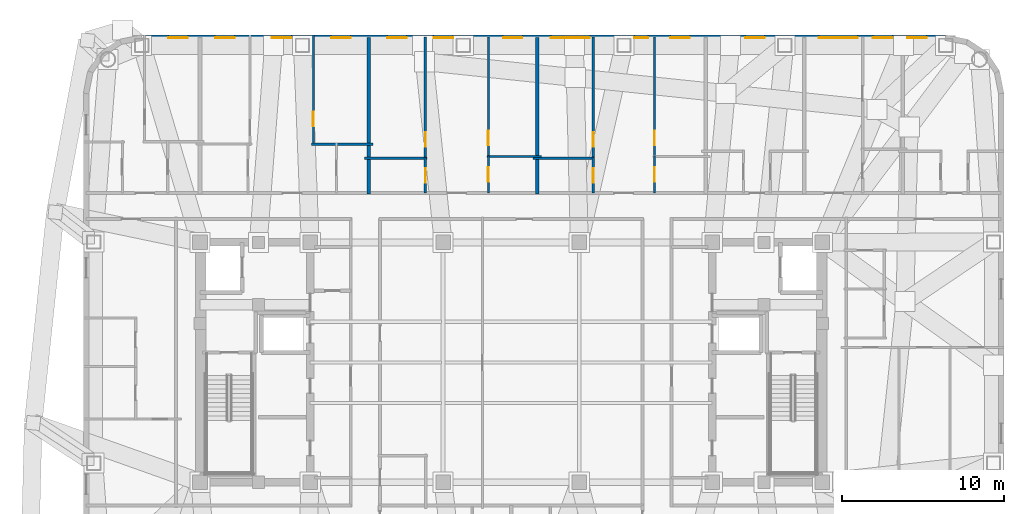
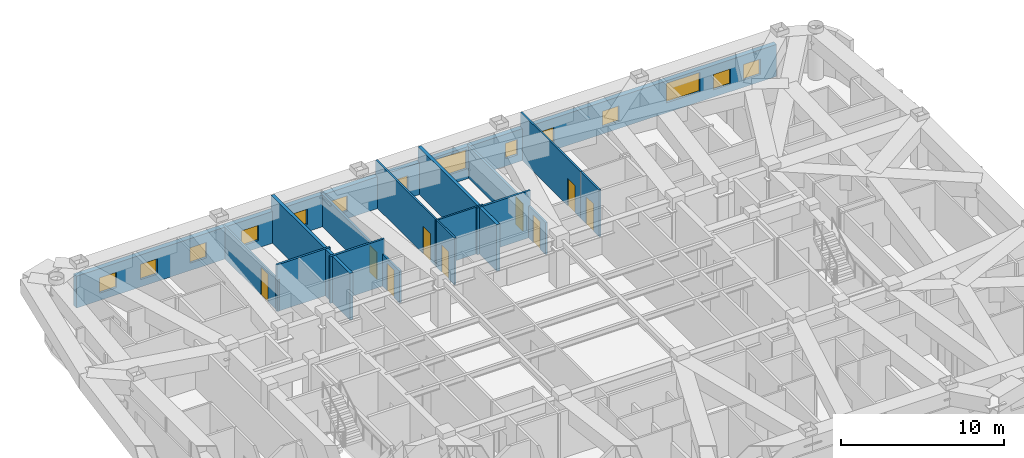
# One storey, part 9 of 12: 16 walls, 14 windows, 9 doors, 23 openings.
"""IFC4 building model written with IfcOpenShell, lengths in metres."""

from ifc_helpers import new_model, si_unit, direction, frame, frame_2d, origin, place, context, subcontext, project, spatial, rectangle, extrude, material, layer, layer_set, type_object, element, fill, save


model = new_model("IFC4")

# Units and contexts
model_context = context("Model", 3, precision=1e-05, world=origin(), true_north=direction((0.0, 1.0)))
body_context = subcontext(model_context, "Body", "Model", "MODEL_VIEW")
ifc_project = project(units=[si_unit("LENGTHUNIT", "METRE"), si_unit("AREAUNIT", "SQUARE_METRE"), si_unit("VOLUMEUNIT", "CUBIC_METRE"), si_unit("PLANEANGLEUNIT", "RADIAN"), si_unit("MASSUNIT", "GRAM", prefix="KILO")], contexts=[model_context])

# Site, building, storey
site_placement = place(None, origin())
site = spatial("IfcSite", under=ifc_project, at=site_placement, CompositionType="ELEMENT")
building_placement = place(site_placement, origin())
building = spatial("IfcBuilding", under=site, at=building_placement, Name="Voryun Gate Residences", CompositionType="ELEMENT")
storey_placement = place(building_placement, frame((0.0, 0.0, 250.89990234375)))
storey = spatial("IfcBuildingStorey", under=building, at=storey_placement, Name="L62", CompositionType="ELEMENT", Elevation=250.89990234375)

# Wall, openings, windows
ifc_material_1 = material(Name="Charcoal terracotta masonry", Category="masonry")
ifc_layer_1 = layer(ifc_material_1, 0.340087890625, Name="W_EXT_TERRACOTTA_340")
ifc_layer_set_1 = layer_set([ifc_layer_1], Name="Charcoal terracotta masonry")
wall_type_1 = type_object("IfcWallType", Name="W_EXT_TERRACOTTA_340", PredefinedType="ELEMENTEDWALL", material=ifc_layer_set_1)
wall_1_placement = place(storey_placement, frame((-22.783203125, 20.030029296875, 0.0), z_axis=(0.0, 0.0, 1.0), x_axis=(1.0, 0.0, 0.0)))
wall_1 = element("IfcWall", 1, at=wall_1_placement, inside=storey, type_object=wall_type_1, Name="Exterior wall WEXT-L62-11", PredefinedType="ELEMENTEDWALL", context=body_context, shape_type="SweptSolid", body=[
    extrude(rectangle(XDim=49.56640625, YDim=0.340087890625, at=frame_2d((24.783203125, 0.0))), origin(), (0.0, 0.0, 1.0), 2.39013671875),
])
opening_1_placement = place(wall_1_placement, frame((25.2333984375, 0.0, 0.75)))
opening_1 = element("IfcOpeningElement", 2, at=opening_1_placement, cuts=wall_1, Name="Opening WN2", PredefinedType="OPENING", context=body_context, shape_type="SweptSolid", body=[
    extrude(rectangle(XDim=2.39990234375, YDim=1.449951171875, at=frame_2d((1.199951171875, 0.72509765625))), frame((0.0, 0.179931640625, 0.0), z_axis=(0.0, -1.0, 0.0), x_axis=(1.0, 0.0, 0.0)), (0.0, 0.0, 1.0), 0.360107421875),
])
opening_2_placement = place(wall_1_placement, frame((41.755615234375, 0.0, 0.75)))
opening_2 = element("IfcOpeningElement", 3, at=opening_2_placement, cuts=wall_1, Name="Opening WN2", PredefinedType="OPENING", context=body_context, shape_type="SweptSolid", body=[
    extrude(rectangle(XDim=2.39990234375, YDim=1.449951171875, at=frame_2d((1.199951171875, 0.72509765625))), frame((0.0, 0.179931640625, 0.0), z_axis=(0.0, -1.0, 0.0), x_axis=(1.0, 0.0, 0.0)), (0.0, 0.0, 1.0), 0.360107421875),
])
opening_3_placement = place(wall_1_placement, frame((1.63671875, 0.0, 0.550048828125)))
opening_3 = element("IfcOpeningElement", 4, at=opening_3_placement, cuts=wall_1, Name="Opening WN6", PredefinedType="OPENING", context=body_context, shape_type="SweptSolid", body=[
    extrude(rectangle(XDim=1.199951171875, YDim=1.14990234375, at=frame_2d((0.60009765625, 0.574951171875))), frame((0.0, 0.179931640625, 0.0), z_axis=(0.0, -1.0, 0.0), x_axis=(1.0, 0.0, 0.0)), (0.0, 0.0, 1.0), 0.360107421875),
])
opening_4_placement = place(wall_1_placement, frame((8.019287109375, 0.0, 0.550048828125)))
opening_4 = element("IfcOpeningElement", 5, at=opening_4_placement, cuts=wall_1, Name="Opening WN6", PredefinedType="OPENING", context=body_context, shape_type="SweptSolid", body=[
    extrude(rectangle(XDim=1.199951171875, YDim=1.14990234375, at=frame_2d((0.60009765625, 0.574951171875))), frame((0.0, 0.179931640625, 0.0), z_axis=(0.0, -1.0, 0.0), x_axis=(1.0, 0.0, 0.0)), (0.0, 0.0, 1.0), 0.360107421875),
])
opening_5_placement = place(wall_1_placement, frame((4.5244140625, 0.0, 0.550048828125)))
opening_5 = element("IfcOpeningElement", 6, at=opening_5_placement, cuts=wall_1, Name="Opening WN6", PredefinedType="OPENING", context=body_context, shape_type="SweptSolid", body=[
    extrude(rectangle(XDim=1.199951171875, YDim=1.14990234375, at=frame_2d((0.60009765625, 0.574951171875))), frame((0.0, 0.179931640625, 0.0), z_axis=(0.0, -1.0, 0.0), x_axis=(1.0, 0.0, 0.0)), (0.0, 0.0, 1.0), 0.360107421875),
])
opening_6_placement = place(wall_1_placement, frame((11.67822265625, 0.0, 0.550048828125)))
opening_6 = element("IfcOpeningElement", 7, at=opening_6_placement, cuts=wall_1, Name="Opening WN6", PredefinedType="OPENING", context=body_context, shape_type="SweptSolid", body=[
    extrude(rectangle(XDim=1.199951171875, YDim=1.14990234375, at=frame_2d((0.60009765625, 0.574951171875))), frame((0.0, 0.179931640625, 0.0), z_axis=(0.0, -1.0, 0.0), x_axis=(1.0, 0.0, 0.0)), (0.0, 0.0, 1.0), 0.360107421875),
])
opening_7_placement = place(wall_1_placement, frame((17.993408203125, 0.0, 0.550048828125)))
opening_7 = element("IfcOpeningElement", 8, at=opening_7_placement, cuts=wall_1, Name="Opening WN6", PredefinedType="OPENING", context=body_context, shape_type="SweptSolid", body=[
    extrude(rectangle(XDim=1.199951171875, YDim=1.14990234375, at=frame_2d((0.60009765625, 0.574951171875))), frame((0.0, 0.179931640625, 0.0), z_axis=(0.0, -1.0, 0.0), x_axis=(1.0, 0.0, 0.0)), (0.0, 0.0, 1.0), 0.360107421875),
])
opening_8_placement = place(wall_1_placement, frame((15.13818359375, 0.0, 0.550048828125)))
opening_8 = element("IfcOpeningElement", 9, at=opening_8_placement, cuts=wall_1, Name="Opening WN6", PredefinedType="OPENING", context=body_context, shape_type="SweptSolid", body=[
    extrude(rectangle(XDim=1.199951171875, YDim=1.14990234375, at=frame_2d((0.60009765625, 0.574951171875))), frame((0.0, 0.179931640625, 0.0), z_axis=(0.0, -1.0, 0.0), x_axis=(1.0, 0.0, 0.0)), (0.0, 0.0, 1.0), 0.360107421875),
])
opening_9_placement = place(wall_1_placement, frame((22.2783203125, 0.0, 0.550048828125)))
opening_9 = element("IfcOpeningElement", 10, at=opening_9_placement, cuts=wall_1, Name="Opening WN6", PredefinedType="OPENING", context=body_context, shape_type="SweptSolid", body=[
    extrude(rectangle(XDim=1.199951171875, YDim=1.14990234375, at=frame_2d((0.60009765625, 0.574951171875))), frame((0.0, 0.179931640625, 0.0), z_axis=(0.0, -1.0, 0.0), x_axis=(1.0, 0.0, 0.0)), (0.0, 0.0, 1.0), 0.360107421875),
])
opening_10_placement = place(wall_1_placement, frame((30.38427734375, 0.0, 0.550048828125)))
opening_10 = element("IfcOpeningElement", 11, at=opening_10_placement, cuts=wall_1, Name="Opening WN9", PredefinedType="OPENING", context=body_context, shape_type="SweptSolid", body=[
    extrude(rectangle(XDim=0.85009765625, YDim=1.14990234375, at=frame_2d((0.425048828125, 0.574951171875))), frame((0.0, 0.179931640625, 0.0), z_axis=(0.0, -1.0, 0.0), x_axis=(1.0, 0.0, 0.0)), (0.0, 0.0, 1.0), 0.360107421875),
])
opening_11_placement = place(wall_1_placement, frame((32.603271484375, 0.0, 0.550048828125)))
opening_11 = element("IfcOpeningElement", 12, at=opening_11_placement, cuts=wall_1, Name="Opening WN6", PredefinedType="OPENING", context=body_context, shape_type="SweptSolid", body=[
    extrude(rectangle(XDim=1.199951171875, YDim=1.14990234375, at=frame_2d((0.60009765625, 0.574951171875))), frame((0.0, 0.179931640625, 0.0), z_axis=(0.0, -1.0, 0.0), x_axis=(1.0, 0.0, 0.0)), (0.0, 0.0, 1.0), 0.360107421875),
])
opening_12_placement = place(wall_1_placement, frame((37.222900390625, 0.0, 0.550048828125)))
opening_12 = element("IfcOpeningElement", 13, at=opening_12_placement, cuts=wall_1, Name="Opening WN6", PredefinedType="OPENING", context=body_context, shape_type="SweptSolid", body=[
    extrude(rectangle(XDim=1.199951171875, YDim=1.14990234375, at=frame_2d((0.60009765625, 0.574951171875))), frame((0.0, 0.179931640625, 0.0), z_axis=(0.0, -1.0, 0.0), x_axis=(1.0, 0.0, 0.0)), (0.0, 0.0, 1.0), 0.360107421875),
])
opening_13_placement = place(wall_1_placement, frame((45.098876953125, 0.0, 0.550048828125)))
opening_13 = element("IfcOpeningElement", 14, at=opening_13_placement, cuts=wall_1, Name="Opening WN6", PredefinedType="OPENING", context=body_context, shape_type="SweptSolid", body=[
    extrude(rectangle(XDim=1.199951171875, YDim=1.14990234375, at=frame_2d((0.60009765625, 0.574951171875))), frame((0.0, 0.179931640625, 0.0), z_axis=(0.0, -1.0, 0.0), x_axis=(1.0, 0.0, 0.0)), (0.0, 0.0, 1.0), 0.360107421875),
])
opening_14_placement = place(wall_1_placement, frame((47.208984375, 0.0, 0.550048828125)))
opening_14 = element("IfcOpeningElement", 15, at=opening_14_placement, cuts=wall_1, Name="Opening WN6", PredefinedType="OPENING", context=body_context, shape_type="SweptSolid", body=[
    extrude(rectangle(XDim=1.199951171875, YDim=1.14990234375, at=frame_2d((0.60009765625, 0.574951171875))), frame((0.0, 0.179931640625, 0.0), z_axis=(0.0, -1.0, 0.0), x_axis=(1.0, 0.0, 0.0)), (0.0, 0.0, 1.0), 0.360107421875),
])
ifc_material_2 = material(Name="Laminated low-E glass", Category="glass")
window_type_1 = type_object("IfcWindowType", Name="WN_POD_SLOT_1200", PartitioningType="SINGLE_PANEL", PredefinedType="WINDOW", material=ifc_material_2)
window_1_placement = place(opening_3_placement, origin())
window_1 = element("IfcWindow", 16, at=window_1_placement, inside=storey, type_object=window_type_1, Name="Window WN-L62-DWFIX-02", OverallHeight=1.14990234375, OverallWidth=1.199951171875, PartitioningType="SINGLE_PANEL", PredefinedType="WINDOW", context=body_context, shape_type="SweptSolid", body=[
    extrude(rectangle(XDim=1.199951171875, YDim=1.14990234375, at=frame_2d((0.60009765625, 0.574951171875))), frame((0.0, 0.030029296875, 0.0), z_axis=(0.0, -1.0, 0.0), x_axis=(1.0, 0.0, 0.0)), (0.0, 0.0, 1.0), 0.06005859375),
])
fill(opening_3, window_1)
window_2_placement = place(opening_4_placement, origin())
window_2 = element("IfcWindow", 17, at=window_2_placement, inside=storey, type_object=window_type_1, Name="Window WN-L62-DWFIX-03", OverallHeight=1.14990234375, OverallWidth=1.199951171875, PartitioningType="SINGLE_PANEL", PredefinedType="WINDOW", context=body_context, shape_type="SweptSolid", body=[
    extrude(rectangle(XDim=1.199951171875, YDim=1.14990234375, at=frame_2d((0.60009765625, 0.574951171875))), frame((0.0, 0.030029296875, 0.0), z_axis=(0.0, -1.0, 0.0), x_axis=(1.0, 0.0, 0.0)), (0.0, 0.0, 1.0), 0.06005859375),
])
fill(opening_4, window_2)
window_3_placement = place(opening_5_placement, origin())
window_3 = element("IfcWindow", 18, at=window_3_placement, inside=storey, type_object=window_type_1, Name="Window WN-L62-DWFIX-04", OverallHeight=1.14990234375, OverallWidth=1.199951171875, PartitioningType="SINGLE_PANEL", PredefinedType="WINDOW", context=body_context, shape_type="SweptSolid", body=[
    extrude(rectangle(XDim=1.199951171875, YDim=1.14990234375, at=frame_2d((0.60009765625, 0.574951171875))), frame((0.0, 0.030029296875, 0.0), z_axis=(0.0, -1.0, 0.0), x_axis=(1.0, 0.0, 0.0)), (0.0, 0.0, 1.0), 0.06005859375),
])
fill(opening_5, window_3)
window_4_placement = place(opening_6_placement, origin())
window_4 = element("IfcWindow", 19, at=window_4_placement, inside=storey, type_object=window_type_1, Name="Window WN-L62-DWFIX-05", OverallHeight=1.14990234375, OverallWidth=1.199951171875, PartitioningType="SINGLE_PANEL", PredefinedType="WINDOW", context=body_context, shape_type="SweptSolid", body=[
    extrude(rectangle(XDim=1.199951171875, YDim=1.14990234375, at=frame_2d((0.60009765625, 0.574951171875))), frame((0.0, 0.030029296875, 0.0), z_axis=(0.0, -1.0, 0.0), x_axis=(1.0, 0.0, 0.0)), (0.0, 0.0, 1.0), 0.06005859375),
])
fill(opening_6, window_4)
window_5_placement = place(opening_7_placement, origin())
window_5 = element("IfcWindow", 20, at=window_5_placement, inside=storey, type_object=window_type_1, Name="Window WN-L62-DWFIX-06", OverallHeight=1.14990234375, OverallWidth=1.199951171875, PartitioningType="SINGLE_PANEL", PredefinedType="WINDOW", context=body_context, shape_type="SweptSolid", body=[
    extrude(rectangle(XDim=1.199951171875, YDim=1.14990234375, at=frame_2d((0.60009765625, 0.574951171875))), frame((0.0, 0.030029296875, 0.0), z_axis=(0.0, -1.0, 0.0), x_axis=(1.0, 0.0, 0.0)), (0.0, 0.0, 1.0), 0.06005859375),
])
fill(opening_7, window_5)
window_6_placement = place(opening_8_placement, origin())
window_6 = element("IfcWindow", 21, at=window_6_placement, inside=storey, type_object=window_type_1, Name="Window WN-L62-DWFIX-07", OverallHeight=1.14990234375, OverallWidth=1.199951171875, PartitioningType="SINGLE_PANEL", PredefinedType="WINDOW", context=body_context, shape_type="SweptSolid", body=[
    extrude(rectangle(XDim=1.199951171875, YDim=1.14990234375, at=frame_2d((0.60009765625, 0.574951171875))), frame((0.0, 0.030029296875, 0.0), z_axis=(0.0, -1.0, 0.0), x_axis=(1.0, 0.0, 0.0)), (0.0, 0.0, 1.0), 0.06005859375),
])
fill(opening_8, window_6)
window_7_placement = place(opening_9_placement, origin())
window_7 = element("IfcWindow", 22, at=window_7_placement, inside=storey, type_object=window_type_1, Name="Window WN-L62-DWFIX-08", OverallHeight=1.14990234375, OverallWidth=1.199951171875, PartitioningType="SINGLE_PANEL", PredefinedType="WINDOW", context=body_context, shape_type="SweptSolid", body=[
    extrude(rectangle(XDim=1.199951171875, YDim=1.14990234375, at=frame_2d((0.60009765625, 0.574951171875))), frame((0.0, 0.030029296875, 0.0), z_axis=(0.0, -1.0, 0.0), x_axis=(1.0, 0.0, 0.0)), (0.0, 0.0, 1.0), 0.06005859375),
])
fill(opening_9, window_7)
window_8_placement = place(opening_11_placement, origin())
window_8 = element("IfcWindow", 23, at=window_8_placement, inside=storey, type_object=window_type_1, Name="Window WN-L62-DWFIX-10", OverallHeight=1.14990234375, OverallWidth=1.199951171875, PartitioningType="SINGLE_PANEL", PredefinedType="WINDOW", context=body_context, shape_type="SweptSolid", body=[
    extrude(rectangle(XDim=1.199951171875, YDim=1.14990234375, at=frame_2d((0.60009765625, 0.574951171875))), frame((0.0, 0.030029296875, 0.0), z_axis=(0.0, -1.0, 0.0), x_axis=(1.0, 0.0, 0.0)), (0.0, 0.0, 1.0), 0.06005859375),
])
fill(opening_11, window_8)
window_9_placement = place(opening_12_placement, origin())
window_9 = element("IfcWindow", 24, at=window_9_placement, inside=storey, type_object=window_type_1, Name="Window WN-L62-DWFIX-11", OverallHeight=1.14990234375, OverallWidth=1.199951171875, PartitioningType="SINGLE_PANEL", PredefinedType="WINDOW", context=body_context, shape_type="SweptSolid", body=[
    extrude(rectangle(XDim=1.199951171875, YDim=1.14990234375, at=frame_2d((0.60009765625, 0.574951171875))), frame((0.0, 0.030029296875, 0.0), z_axis=(0.0, -1.0, 0.0), x_axis=(1.0, 0.0, 0.0)), (0.0, 0.0, 1.0), 0.06005859375),
])
fill(opening_12, window_9)
window_10_placement = place(opening_13_placement, origin())
window_10 = element("IfcWindow", 25, at=window_10_placement, inside=storey, type_object=window_type_1, Name="Window WN-L62-DWFIX-12", OverallHeight=1.14990234375, OverallWidth=1.199951171875, PartitioningType="SINGLE_PANEL", PredefinedType="WINDOW", context=body_context, shape_type="SweptSolid", body=[
    extrude(rectangle(XDim=1.199951171875, YDim=1.14990234375, at=frame_2d((0.60009765625, 0.574951171875))), frame((0.0, 0.030029296875, 0.0), z_axis=(0.0, -1.0, 0.0), x_axis=(1.0, 0.0, 0.0)), (0.0, 0.0, 1.0), 0.06005859375),
])
fill(opening_13, window_10)
window_11_placement = place(opening_14_placement, origin())
window_11 = element("IfcWindow", 26, at=window_11_placement, inside=storey, type_object=window_type_1, Name="Window WN-L62-DWFIX-13", OverallHeight=1.14990234375, OverallWidth=1.199951171875, PartitioningType="SINGLE_PANEL", PredefinedType="WINDOW", context=body_context, shape_type="SweptSolid", body=[
    extrude(rectangle(XDim=1.199951171875, YDim=1.14990234375, at=frame_2d((0.60009765625, 0.574951171875))), frame((0.0, 0.030029296875, 0.0), z_axis=(0.0, -1.0, 0.0), x_axis=(1.0, 0.0, 0.0)), (0.0, 0.0, 1.0), 0.06005859375),
])
fill(opening_14, window_11)
ifc_material_3 = material(Name="Laminated low-E glass", Category="glass")
window_type_2 = type_object("IfcWindowType", Name="WN_RES_CASEMENT_850", PartitioningType="SINGLE_PANEL", PredefinedType="WINDOW", material=ifc_material_3)
window_12_placement = place(opening_10_placement, origin())
window_12 = element("IfcWindow", 27, at=window_12_placement, inside=storey, type_object=window_type_2, Name="Window WN-L62-DWFIX-09", OverallHeight=1.14990234375, OverallWidth=0.85009765625, PartitioningType="SINGLE_PANEL", PredefinedType="WINDOW", context=body_context, shape_type="SweptSolid", body=[
    extrude(rectangle(XDim=0.85009765625, YDim=1.14990234375, at=frame_2d((0.425048828125, 0.574951171875))), frame((0.0, 0.030029296875, 0.0), z_axis=(0.0, -1.0, 0.0), x_axis=(1.0, 0.0, 0.0)), (0.0, 0.0, 1.0), 0.06005859375),
])
fill(opening_10, window_12)
ifc_material_4 = material(Name="Laminated low-E glass", Category="glass")
window_type_3 = type_object("IfcWindowType", Name="WN_RES_WIDE_2400", PartitioningType="SINGLE_PANEL", PredefinedType="WINDOW", material=ifc_material_4)
window_13_placement = place(opening_1_placement, origin())
window_13 = element("IfcWindow", 28, at=window_13_placement, inside=storey, type_object=window_type_3, Name="Window WN-WEXT-L62-11-02", OverallHeight=1.449951171875, OverallWidth=2.39990234375, PartitioningType="SINGLE_PANEL", PredefinedType="WINDOW", context=body_context, shape_type="SweptSolid", body=[
    extrude(rectangle(XDim=2.39990234375, YDim=1.449951171875, at=frame_2d((1.199951171875, 0.72509765625))), frame((0.0, 0.030029296875, 0.0), z_axis=(0.0, -1.0, 0.0), x_axis=(1.0, 0.0, 0.0)), (0.0, 0.0, 1.0), 0.06005859375),
])
fill(opening_1, window_13)
window_14_placement = place(opening_2_placement, origin())
window_14 = element("IfcWindow", 29, at=window_14_placement, inside=storey, type_object=window_type_3, Name="Window WN-WEXT-L62-11-03", OverallHeight=1.449951171875, OverallWidth=2.39990234375, PartitioningType="SINGLE_PANEL", PredefinedType="WINDOW", context=body_context, shape_type="SweptSolid", body=[
    extrude(rectangle(XDim=2.39990234375, YDim=1.449951171875, at=frame_2d((1.199951171875, 0.72509765625))), frame((0.0, 0.030029296875, 0.0), z_axis=(0.0, -1.0, 0.0), x_axis=(1.0, 0.0, 0.0)), (0.0, 0.0, 1.0), 0.06005859375),
])
fill(opening_2, window_14)

# Walls
ifc_material_5 = material(Name="Concrete C40/50", Category="concrete")
ifc_layer_2 = layer(ifc_material_5, 0.219970703125, Name="W_PARTY_ACOUSTIC_220")
ifc_layer_set_2 = layer_set([ifc_layer_2], Name="Concrete C40/50")
wall_type_2 = type_object("IfcWallType", Name="W_PARTY_ACOUSTIC_220", PredefinedType="PARTITIONING", material=ifc_layer_set_2)
for number, where, z_axis, x_axis, name in (
    (30, (-8.800048828125, 10.3701171875, 0.0), (0.0, 0.0, 1.0), (0.0, 1.0, 0.0), "Partition wall WP-L62-NPTY-2"),
    (31, (1.60009765625, 10.3701171875, 0.0), (0.0, 0.0, 1.0), (0.0, 1.0, 0.0), "Partition wall WP-L62-NPTY-3"),
):
    element("IfcWall", number, at=place(storey_placement, frame(where, z_axis=z_axis, x_axis=x_axis)), inside=storey, type_object=wall_type_2, Name=name, PredefinedType="PARTITIONING", context=body_context, shape_type="SweptSolid", body=[
        extrude(rectangle(XDim=9.659912109375, YDim=0.219970703125, at=frame_2d((4.830078125, 0.0))), origin(), (0.0, 0.0, 1.0), 3.5),
    ])

# Wall, opening, door
ifc_material_6 = material(Name="Gypsum acoustic partition")
ifc_layer_3 = layer(ifc_material_6, 0.125, Name="W_UNIT_PART_125")
ifc_layer_set_3 = layer_set([ifc_layer_3], Name="Gypsum acoustic partition")
wall_type_3 = type_object("IfcWallType", Name="W_UNIT_PART_125", PredefinedType="PARTITIONING", material=ifc_layer_set_3)
wall_2_placement = place(storey_placement, frame((-12.2099609375, 13.3798828125, 0.0), z_axis=(0.0, 0.0, 1.0), x_axis=(0.0, 1.0, 0.0)))
wall_2 = element("IfcWall", 32, at=wall_2_placement, inside=storey, type_object=wall_type_3, Name="Partition wall WP-L62-N2-OVR", PredefinedType="PARTITIONING", context=body_context, shape_type="SweptSolid", body=[
    extrude(rectangle(XDim=6.800048828125, YDim=0.125, at=frame_2d((3.39990234375, 0.0))), origin(), (0.0, 0.0, 1.0), 2.39013671875),
])
opening_15_placement = place(wall_2_placement, frame((1.181884765625, 0.0, 0.0)))
opening_15 = element("IfcOpeningElement", 33, at=opening_15_placement, cuts=wall_2, Name="Opening D-INT-2", PredefinedType="OPENING", context=body_context, shape_type="SweptSolid", body=[
    extrude(rectangle(XDim=0.89990234375, YDim=2.050048828125, at=frame_2d((0.449951171875, 1.02490234375))), frame((0.0, 0.072509765625, 0.0), z_axis=(0.0, -1.0, 0.0), x_axis=(1.0, 0.0, 0.0)), (0.0, 0.0, 1.0), 0.14501953125),
])
ifc_material_7 = material(Name="Architectural oak veneer")
door_type = type_object("IfcDoorType", Name="DR_INT_BATH_900", OperationType="NOTDEFINED", PredefinedType="DOOR", material=ifc_material_7)
door_1_placement = place(opening_15_placement, origin())
door_1 = element("IfcDoor", 34, at=door_1_placement, inside=storey, type_object=door_type, Name="Door DR-L62-N2-DMB", OperationType="SINGLE_SWING_RIGHT", OverallHeight=2.050048828125, OverallWidth=0.89990234375, PredefinedType="DOOR", context=body_context, shape_type="SweptSolid", body=[
    extrude(rectangle(XDim=0.89990234375, YDim=2.050048828125, at=frame_2d((0.449951171875, 1.02490234375))), frame((0.0, 0.02490234375, 0.0), z_axis=(0.0, -1.0, 0.0), x_axis=(1.0, 0.0, 0.0)), (0.0, 0.0, 1.0), 0.050048828125),
])
fill(opening_15, door_1)

# Wall
wall_3_placement = place(storey_placement, frame((-1.489990234375, 12.68994140625, 0.0), z_axis=(0.0, 0.0, 1.0), x_axis=(1.0, 0.0, 0.0)))
element("IfcWall", 35, at=wall_3_placement, inside=storey, type_object=wall_type_3, Name="Partition wall WP-L62-N3-RHY", PredefinedType="PARTITIONING", context=body_context, shape_type="SweptSolid", body=[
    extrude(rectangle(XDim=3.35009765625, YDim=0.125, at=frame_2d((1.675048828125, 0.0))), origin(), (0.0, 0.0, 1.0), 3.5),
])

# Wall, opening, door
wall_4_placement = place(storey_placement, frame((-1.409912109375, 10.429931640625, 0.0), z_axis=(0.0, 0.0, 1.0), x_axis=(0.0, 1.0, 0.0)))
wall_4 = element("IfcWall", 36, at=wall_4_placement, inside=storey, type_object=wall_type_3, Name="Partition wall WP-L62-N3-RVX1", PredefinedType="PARTITIONING", context=body_context, shape_type="SweptSolid", body=[
    extrude(rectangle(XDim=2.300048828125, YDim=0.125, at=frame_2d((1.14990234375, 0.0))), origin(), (0.0, 0.0, 1.0), 3.5),
])
opening_16_placement = place(wall_4_placement, frame((0.699951171875, 0.0, 0.0)))
opening_16 = element("IfcOpeningElement", 37, at=opening_16_placement, cuts=wall_4, Name="Opening D-INT-2", PredefinedType="OPENING", context=body_context, shape_type="SweptSolid", body=[
    extrude(rectangle(XDim=0.89990234375, YDim=2.050048828125, at=frame_2d((0.449951171875, 1.02490234375))), frame((0.0, 0.072509765625, 0.0), z_axis=(0.0, -1.0, 0.0), x_axis=(1.0, 0.0, 0.0)), (0.0, 0.0, 1.0), 0.14501953125),
])
door_2_placement = place(opening_16_placement, origin())
door_2 = element("IfcDoor", 38, at=door_2_placement, inside=storey, type_object=door_type, Name="Door DR-L62-N3-DK", OperationType="SINGLE_SWING_RIGHT", OverallHeight=2.050048828125, OverallWidth=0.89990234375, PredefinedType="DOOR", context=body_context, shape_type="SweptSolid", body=[
    extrude(rectangle(XDim=0.89990234375, YDim=2.050048828125, at=frame_2d((0.449951171875, 1.02490234375))), frame((0.0, 0.02490234375, 0.0), z_axis=(0.0, -1.0, 0.0), x_axis=(1.0, 0.0, 0.0)), (0.0, 0.0, 1.0), 0.050048828125),
])
fill(opening_16, door_2)

wall_5_placement = place(storey_placement, frame((-1.409912109375, 12.64990234375, 0.0), z_axis=(0.0, 0.0, 1.0), x_axis=(0.0, 1.0, 0.0)))
wall_5 = element("IfcWall", 39, at=wall_5_placement, inside=storey, type_object=wall_type_3, Name="Partition wall WP-L62-N3-RVX2", PredefinedType="PARTITIONING", context=body_context, shape_type="SweptSolid", body=[
    extrude(rectangle(XDim=7.427001953125, YDim=0.125, at=frame_2d((3.71337890625, 0.0))), origin(), (0.0, 0.0, 1.0), 3.5),
])
opening_17_placement = place(wall_5_placement, frame((0.73828125, 0.0, 0.0)))
opening_17 = element("IfcOpeningElement", 40, at=opening_17_placement, cuts=wall_5, Name="Opening D-INT-2", PredefinedType="OPENING", context=body_context, shape_type="SweptSolid", body=[
    extrude(rectangle(XDim=0.89990234375, YDim=2.050048828125, at=frame_2d((0.449951171875, 1.02490234375))), frame((0.0, 0.072509765625, 0.0), z_axis=(0.0, -1.0, 0.0), x_axis=(1.0, 0.0, 0.0)), (0.0, 0.0, 1.0), 0.14501953125),
])
door_3_placement = place(opening_17_placement, origin())
door_3 = element("IfcDoor", 41, at=door_3_placement, inside=storey, type_object=door_type, Name="Door DR-L62-N3-DB2", OperationType="SINGLE_SWING_LEFT", OverallHeight=2.050048828125, OverallWidth=0.89990234375, PredefinedType="DOOR", context=body_context, shape_type="SweptSolid", body=[
    extrude(rectangle(XDim=0.89990234375, YDim=2.050048828125, at=frame_2d((0.449951171875, 1.02490234375))), frame((0.0, 0.02490234375, 0.0), z_axis=(0.0, -1.0, 0.0), x_axis=(1.0, 0.0, 0.0)), (0.0, 0.0, 1.0), 0.050048828125),
])
fill(opening_17, door_3)

wall_6_placement = place(storey_placement, frame((8.840087890625, 10.429931640625, 0.0), z_axis=(0.0, 0.0, 1.0), x_axis=(0.0, 1.0, 0.0)))
wall_6 = element("IfcWall", 42, at=wall_6_placement, inside=storey, type_object=wall_type_3, Name="Partition wall WP-L62-N4-RVX1", PredefinedType="PARTITIONING", context=body_context, shape_type="SweptSolid", body=[
    extrude(rectangle(XDim=2.300048828125, YDim=0.125, at=frame_2d((1.14990234375, 0.0))), origin(), (0.0, 0.0, 1.0), 3.5),
])
opening_18_placement = place(wall_6_placement, frame((0.699951171875, 0.0, 0.0)))
opening_18 = element("IfcOpeningElement", 43, at=opening_18_placement, cuts=wall_6, Name="Opening D-INT-2", PredefinedType="OPENING", context=body_context, shape_type="SweptSolid", body=[
    extrude(rectangle(XDim=0.89990234375, YDim=2.050048828125, at=frame_2d((0.449951171875, 1.02490234375))), frame((0.0, 0.072509765625, 0.0), z_axis=(0.0, -1.0, 0.0), x_axis=(1.0, 0.0, 0.0)), (0.0, 0.0, 1.0), 0.14501953125),
])
door_4_placement = place(opening_18_placement, origin())
door_4 = element("IfcDoor", 44, at=door_4_placement, inside=storey, type_object=door_type, Name="Door DR-L62-N4-DK", OperationType="SINGLE_SWING_RIGHT", OverallHeight=2.050048828125, OverallWidth=0.89990234375, PredefinedType="DOOR", context=body_context, shape_type="SweptSolid", body=[
    extrude(rectangle(XDim=0.89990234375, YDim=2.050048828125, at=frame_2d((0.449951171875, 1.02490234375))), frame((0.0, 0.02490234375, 0.0), z_axis=(0.0, -1.0, 0.0), x_axis=(1.0, 0.0, 0.0)), (0.0, 0.0, 1.0), 0.050048828125),
])
fill(opening_18, door_4)

wall_7_placement = place(storey_placement, frame((8.840087890625, 12.64990234375, 0.0), z_axis=(0.0, 0.0, 1.0), x_axis=(0.0, 1.0, 0.0)))
wall_7 = element("IfcWall", 45, at=wall_7_placement, inside=storey, type_object=wall_type_3, Name="Partition wall WP-L62-N4-RVX2", PredefinedType="PARTITIONING", context=body_context, shape_type="SweptSolid", body=[
    extrude(rectangle(XDim=7.427001953125, YDim=0.125, at=frame_2d((3.71337890625, 0.0))), origin(), (0.0, 0.0, 1.0), 3.5),
])
opening_19_placement = place(wall_7_placement, frame((0.73828125, 0.0, 0.0)))
opening_19 = element("IfcOpeningElement", 46, at=opening_19_placement, cuts=wall_7, Name="Opening D-INT-2", PredefinedType="OPENING", context=body_context, shape_type="SweptSolid", body=[
    extrude(rectangle(XDim=0.89990234375, YDim=2.050048828125, at=frame_2d((0.449951171875, 1.02490234375))), frame((0.0, 0.072509765625, 0.0), z_axis=(0.0, -1.0, 0.0), x_axis=(1.0, 0.0, 0.0)), (0.0, 0.0, 1.0), 0.14501953125),
])
door_5_placement = place(opening_19_placement, origin())
door_5 = element("IfcDoor", 47, at=door_5_placement, inside=storey, type_object=door_type, Name="Door DR-L62-N4-DB2", OperationType="SINGLE_SWING_LEFT", OverallHeight=2.050048828125, OverallWidth=0.89990234375, PredefinedType="DOOR", context=body_context, shape_type="SweptSolid", body=[
    extrude(rectangle(XDim=0.89990234375, YDim=2.050048828125, at=frame_2d((0.449951171875, 1.02490234375))), frame((0.0, 0.02490234375, 0.0), z_axis=(0.0, -1.0, 0.0), x_axis=(1.0, 0.0, 0.0)), (0.0, 0.0, 1.0), 0.050048828125),
])
fill(opening_19, door_5)

# Walls
ifc_material_8 = material(Name="Gypsum moisture-resistant partition")
ifc_layer_4 = layer(ifc_material_8, 0.14990234375, Name="W_WET_PLUMB_150")
ifc_layer_set_4 = layer_set([ifc_layer_4], Name="Gypsum moisture-resistant partition")
wall_type_4 = type_object("IfcWallType", Name="W_WET_PLUMB_150", PredefinedType="PLUMBINGWALL", material=ifc_layer_set_4)
wall_8_placement = place(storey_placement, frame((-12.330078125, 13.4599609375, 0.0), z_axis=(0.0, 0.0, 1.0), x_axis=(1.0, 0.0, 0.0)))
element("IfcWall", 48, at=wall_8_placement, inside=storey, type_object=wall_type_4, Name="Partition wall WP-L62-N2-HZB", PredefinedType="PLUMBINGWALL", context=body_context, shape_type="SweptSolid", body=[
    extrude(rectangle(XDim=3.7900390625, YDim=0.14990234375, at=frame_2d((1.89501953125, 0.0))), origin(), (0.0, 0.0, 1.0), 3.5),
])
wall_9_placement = place(storey_placement, frame((-9.06005859375, 12.590087890625, 0.0), z_axis=(0.0, 0.0, 1.0), x_axis=(1.0, 0.0, 0.0)))
element("IfcWall", 49, at=wall_9_placement, inside=storey, type_object=wall_type_4, Name="Partition wall WP-L62-N3-LHY", PredefinedType="PLUMBINGWALL", context=body_context, shape_type="SweptSolid", body=[
    extrude(rectangle(XDim=3.85009765625, YDim=0.14990234375, at=frame_2d((1.925048828125, 0.0))), origin(), (0.0, 0.0, 1.0), 3.5),
])

# Wall, opening, door
wall_10_placement = place(storey_placement, frame((-5.2900390625, 10.429931640625, 0.0), z_axis=(0.0, 0.0, 1.0), x_axis=(0.0, 1.0, 0.0)))
wall_10 = element("IfcWall", 50, at=wall_10_placement, inside=storey, type_object=wall_type_4, Name="Partition wall WP-L62-N3-LVX1", PredefinedType="PLUMBINGWALL", context=body_context, shape_type="SweptSolid", body=[
    extrude(rectangle(XDim=2.199951171875, YDim=0.14990234375, at=frame_2d((1.10009765625, 0.0))), origin(), (0.0, 0.0, 1.0), 2.39013671875),
])
opening_20_placement = place(wall_10_placement, frame((0.64990234375, 0.0, 0.0)))
opening_20 = element("IfcOpeningElement", 51, at=opening_20_placement, cuts=wall_10, Name="Opening D-INT-2", PredefinedType="OPENING", context=body_context, shape_type="SweptSolid", body=[
    extrude(rectangle(XDim=0.89990234375, YDim=2.050048828125, at=frame_2d((0.449951171875, 1.02490234375))), frame((0.0, 0.0849609375, 0.0), z_axis=(0.0, -1.0, 0.0), x_axis=(1.0, 0.0, 0.0)), (0.0, 0.0, 1.0), 0.169921875),
])
door_6_placement = place(opening_20_placement, origin())
door_6 = element("IfcDoor", 52, at=door_6_placement, inside=storey, type_object=door_type, Name="Door DR-L62-N3-DB", OperationType="SINGLE_SWING_LEFT", OverallHeight=2.050048828125, OverallWidth=0.89990234375, PredefinedType="DOOR", context=body_context, shape_type="SweptSolid", body=[
    extrude(rectangle(XDim=0.89990234375, YDim=2.050048828125, at=frame_2d((0.449951171875, 1.02490234375))), frame((0.0, 0.02490234375, 0.0), z_axis=(0.0, -1.0, 0.0), x_axis=(1.0, 0.0, 0.0)), (0.0, 0.0, 1.0), 0.050048828125),
])
fill(opening_20, door_6)

wall_11_placement = place(storey_placement, frame((-5.2900390625, 12.550048828125, 0.0), z_axis=(0.0, 0.0, 1.0), x_axis=(0.0, 1.0, 0.0)))
wall_11 = element("IfcWall", 53, at=wall_11_placement, inside=storey, type_object=wall_type_4, Name="Partition wall WP-L62-N3-LVX2", PredefinedType="PLUMBINGWALL", context=body_context, shape_type="SweptSolid", body=[
    extrude(rectangle(XDim=7.52685546875, YDim=0.14990234375, at=frame_2d((3.763427734375, 0.0))), origin(), (0.0, 0.0, 1.0), 2.39013671875),
])
opening_21_placement = place(wall_11_placement, frame((0.75439453125, 0.0, 0.0)))
opening_21 = element("IfcOpeningElement", 54, at=opening_21_placement, cuts=wall_11, Name="Opening D-INT-2", PredefinedType="OPENING", context=body_context, shape_type="SweptSolid", body=[
    extrude(rectangle(XDim=0.89990234375, YDim=2.050048828125, at=frame_2d((0.449951171875, 1.02490234375))), frame((0.0, 0.0849609375, 0.0), z_axis=(0.0, -1.0, 0.0), x_axis=(1.0, 0.0, 0.0)), (0.0, 0.0, 1.0), 0.169921875),
])
door_7_placement = place(opening_21_placement, origin())
door_7 = element("IfcDoor", 55, at=door_7_placement, inside=storey, type_object=door_type, Name="Door DR-L62-N3-DMB", OperationType="SINGLE_SWING_RIGHT", OverallHeight=2.050048828125, OverallWidth=0.89990234375, PredefinedType="DOOR", context=body_context, shape_type="SweptSolid", body=[
    extrude(rectangle(XDim=0.89990234375, YDim=2.050048828125, at=frame_2d((0.449951171875, 1.02490234375))), frame((0.0, 0.02490234375, 0.0), z_axis=(0.0, -1.0, 0.0), x_axis=(1.0, 0.0, 0.0)), (0.0, 0.0, 1.0), 0.050048828125),
])
fill(opening_21, door_7)

# Wall
wall_12_placement = place(storey_placement, frame((1.340087890625, 12.590087890625, 0.0), z_axis=(0.0, 0.0, 1.0), x_axis=(1.0, 0.0, 0.0)))
element("IfcWall", 56, at=wall_12_placement, inside=storey, type_object=wall_type_4, Name="Partition wall WP-L62-N4-LHY", PredefinedType="PLUMBINGWALL", context=body_context, shape_type="SweptSolid", body=[
    extrude(rectangle(XDim=3.7919921875, YDim=0.14990234375, at=frame_2d((1.89599609375, 0.0))), origin(), (0.0, 0.0, 1.0), 3.5),
])

# Wall, opening, door
wall_13_placement = place(storey_placement, frame((5.052001953125, 10.429931640625, 0.0), z_axis=(0.0, 0.0, 1.0), x_axis=(0.0, 1.0, 0.0)))
wall_13 = element("IfcWall", 57, at=wall_13_placement, inside=storey, type_object=wall_type_4, Name="Partition wall WP-L62-N4-LVX1", PredefinedType="PLUMBINGWALL", context=body_context, shape_type="SweptSolid", body=[
    extrude(rectangle(XDim=2.199951171875, YDim=0.14990234375, at=frame_2d((1.10009765625, 0.0))), origin(), (0.0, 0.0, 1.0), 2.39013671875),
])
opening_22_placement = place(wall_13_placement, frame((0.64990234375, 0.0, 0.0)))
opening_22 = element("IfcOpeningElement", 58, at=opening_22_placement, cuts=wall_13, Name="Opening D-INT-2", PredefinedType="OPENING", context=body_context, shape_type="SweptSolid", body=[
    extrude(rectangle(XDim=0.89990234375, YDim=2.050048828125, at=frame_2d((0.449951171875, 1.02490234375))), frame((0.0, 0.0849609375, 0.0), z_axis=(0.0, -1.0, 0.0), x_axis=(1.0, 0.0, 0.0)), (0.0, 0.0, 1.0), 0.169921875),
])
door_8_placement = place(opening_22_placement, origin())
door_8 = element("IfcDoor", 59, at=door_8_placement, inside=storey, type_object=door_type, Name="Door DR-L62-N4-DB", OperationType="SINGLE_SWING_LEFT", OverallHeight=2.050048828125, OverallWidth=0.89990234375, PredefinedType="DOOR", context=body_context, shape_type="SweptSolid", body=[
    extrude(rectangle(XDim=0.89990234375, YDim=2.050048828125, at=frame_2d((0.449951171875, 1.02490234375))), frame((0.0, 0.02490234375, 0.0), z_axis=(0.0, -1.0, 0.0), x_axis=(1.0, 0.0, 0.0)), (0.0, 0.0, 1.0), 0.050048828125),
])
fill(opening_22, door_8)

wall_14_placement = place(storey_placement, frame((5.052001953125, 12.550048828125, 0.0), z_axis=(0.0, 0.0, 1.0), x_axis=(0.0, 1.0, 0.0)))
wall_14 = element("IfcWall", 60, at=wall_14_placement, inside=storey, type_object=wall_type_4, Name="Partition wall WP-L62-N4-LVX2", PredefinedType="PLUMBINGWALL", context=body_context, shape_type="SweptSolid", body=[
    extrude(rectangle(XDim=7.52685546875, YDim=0.14990234375, at=frame_2d((3.763427734375, 0.0))), origin(), (0.0, 0.0, 1.0), 2.39013671875),
])
opening_23_placement = place(wall_14_placement, frame((0.75439453125, 0.0, 0.0)))
opening_23 = element("IfcOpeningElement", 61, at=opening_23_placement, cuts=wall_14, Name="Opening D-INT-2", PredefinedType="OPENING", context=body_context, shape_type="SweptSolid", body=[
    extrude(rectangle(XDim=0.89990234375, YDim=2.050048828125, at=frame_2d((0.449951171875, 1.02490234375))), frame((0.0, 0.0849609375, 0.0), z_axis=(0.0, -1.0, 0.0), x_axis=(1.0, 0.0, 0.0)), (0.0, 0.0, 1.0), 0.169921875),
])
door_9_placement = place(opening_23_placement, origin())
door_9 = element("IfcDoor", 62, at=door_9_placement, inside=storey, type_object=door_type, Name="Door DR-L62-N4-DMB", OperationType="SINGLE_SWING_RIGHT", OverallHeight=2.050048828125, OverallWidth=0.89990234375, PredefinedType="DOOR", context=body_context, shape_type="SweptSolid", body=[
    extrude(rectangle(XDim=0.89990234375, YDim=2.050048828125, at=frame_2d((0.449951171875, 1.02490234375))), frame((0.0, 0.02490234375, 0.0), z_axis=(0.0, -1.0, 0.0), x_axis=(1.0, 0.0, 0.0)), (0.0, 0.0, 1.0), 0.050048828125),
])
fill(opening_23, door_9)

save(model, "model.ifc")
